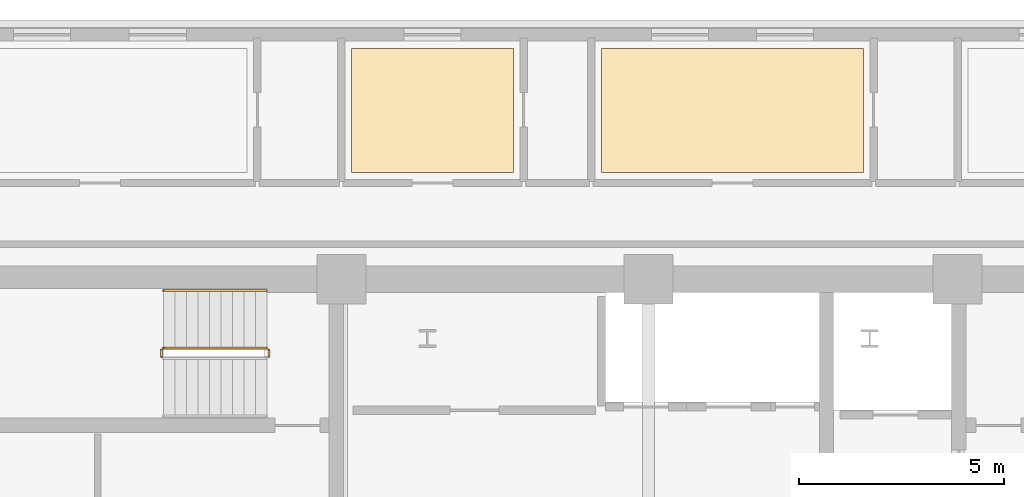
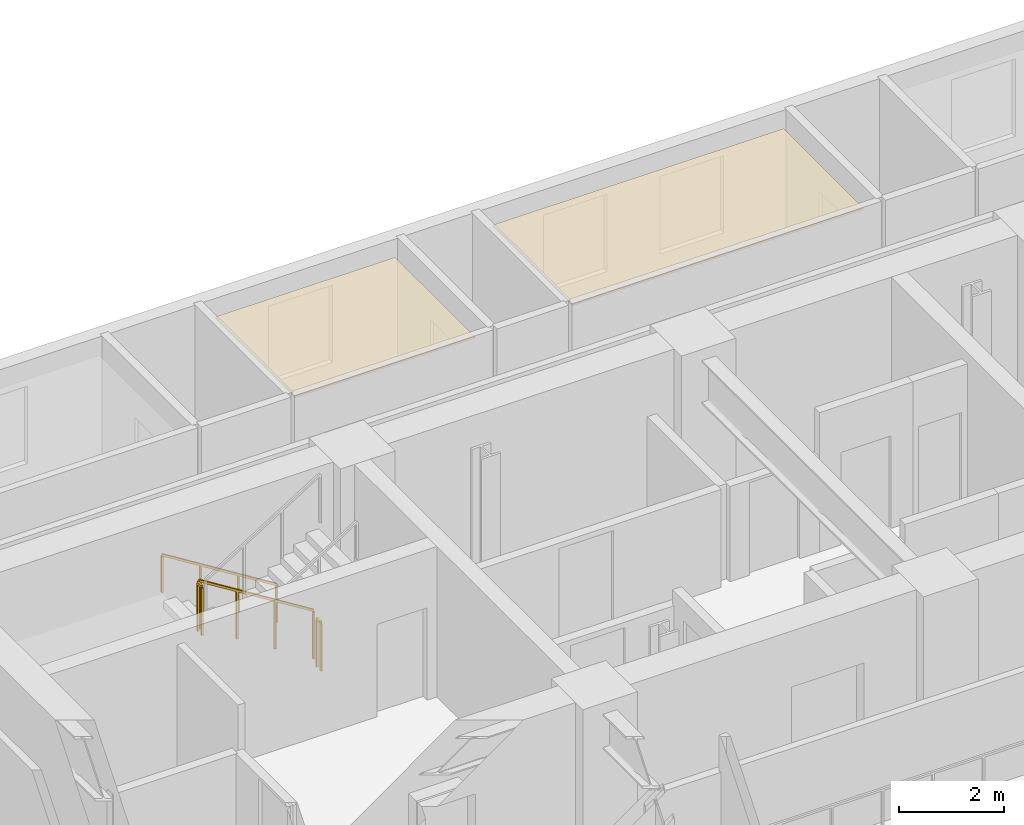
# One storey, part 15 of 16: 4 railings, 2 coverings.
"""IFC4 building model written with IfcOpenShell, lengths in metres."""

from ifc_helpers import new_model, si_unit, direction, frame, origin, origin_2d, place, context, subcontext, project, spatial, polyline, rectangle, outline, extrude, material, layer, layer_set, type_object, element, save


model = new_model("IFC4")

# Units and contexts
model_context = context("Model", 3, precision=1e-05, world=origin(), true_north=direction((0.0, 1.0)))
body_context = subcontext(model_context, "Body", "Model", "MODEL_VIEW")
ifc_project = project(units=[si_unit("LENGTHUNIT", "METRE"), si_unit("AREAUNIT", "SQUARE_METRE"), si_unit("VOLUMEUNIT", "CUBIC_METRE"), si_unit("PLANEANGLEUNIT", "RADIAN"), si_unit("MASSUNIT", "GRAM", prefix="KILO")], contexts=[model_context])

# Site, building, storey
site_placement = place(None, origin())
site = spatial("IfcSite", under=ifc_project, at=site_placement, CompositionType="ELEMENT")
building_placement = place(site_placement, origin())
building = spatial("IfcBuilding", under=site, at=building_placement, Name="Zarnavel Station Tower", CompositionType="ELEMENT")
storey_placement = place(building_placement, frame((0.0, 0.0, 118.800048828125)))
storey = spatial("IfcBuildingStorey", under=building, at=storey_placement, Name="L32", CompositionType="ELEMENT", Elevation=118.800048828125)

# Coverings
ifc_material_1 = material(Name="Perforated Gypsum and Mineral-Wool Acoustic Ceiling", Category="concrete")
ifc_layer = layer(ifc_material_1, 0.0400390625)
ifc_layer_set = layer_set([ifc_layer], Name="COV_CEIL_ACOUSTIC")
covering_type = type_object("IfcCoveringType", Name="COV_CEIL_ACOUSTIC", PredefinedType="CEILING", material=ifc_layer_set)
covering_1_placement = place(storey_placement, frame((0.0, 0.0, 2.919921875)))
element("IfcCovering", 1, at=covering_1_placement, inside=storey, type_object=covering_type, Name="L32 HN2R Acoustic Ceiling", PredefinedType="CEILING", context=body_context, shape_type="SweptSolid", body=[
    extrude(outline(polyline([(21.550048828125, 39.64990234375), (25.50390625, 39.64990234375), (25.50390625, 42.68994140625), (21.550048828125, 42.68994140625), (21.550048828125, 39.64990234375)])), origin(), (0.0, 0.0, 1.0), 0.0400390625),
])
covering_2_placement = place(storey_placement, frame((0.0, 0.0, 2.919921875)))
element("IfcCovering", 2, at=covering_2_placement, inside=storey, type_object=covering_type, Name="L32 HN3R Acoustic Ceiling", PredefinedType="CEILING", context=body_context, shape_type="SweptSolid", body=[
    extrude(outline(polyline([(27.654052734375, 39.64990234375), (34.050048828125, 39.64990234375), (34.050048828125, 42.68994140625), (27.654052734375, 42.68994140625), (27.654052734375, 39.64990234375)])), origin(), (0.0, 0.0, 1.0), 0.0400390625),
])

# Railings
ifc_material_2 = material(Name="Painted Steel S355J2 Balustrade", Category="steel")
railing_type_1 = type_object("IfcRailingType", Name="GR_INT_1150", PredefinedType="GUARDRAIL", material=ifc_material_2)
railing_1_placement = place(storey_placement, frame((19.47998046875, 35.3701171875, 0.175048828125)))
element("IfcRailing", 3, at=railing_1_placement, inside=storey, type_object=railing_type_1, Name="L32 ST1 stair guard 1", PredefinedType="GUARDRAIL", context=body_context, shape_type="SweptSolid", body=[
    extrude(rectangle(XDim=0.048095703125, YDim=0.048095703125, at=origin_2d()), frame((-0.001708984375, 0.0, 1.126953125), z_axis=(-0.848007534815, 0.0, 0.529984170421), x_axis=(0.0, -1.0, 0.0)), (0.0, 0.0, 1.0), 2.9677734375),
    extrude(rectangle(XDim=0.0419921875, YDim=0.0419921875, at=origin_2d()), origin(), (0.0, 0.0, 1.0), 1.101806640625),
    extrude(rectangle(XDim=0.0419921875, YDim=0.0419921875, at=origin_2d()), frame((-0.840087890625, 0.0, 0.52490234375)), (0.0, 0.0, 1.0), 1.101806640625),
    extrude(rectangle(XDim=0.0419921875, YDim=0.0419921875, at=origin_2d()), frame((-1.679931640625, 0.0, 1.050048828125)), (0.0, 0.0, 1.0), 1.101806640625),
    extrude(rectangle(XDim=0.0419921875, YDim=0.0419921875, at=origin_2d()), frame((-2.52001953125, 0.0, 1.574951171875)), (0.0, 0.0, 1.0), 1.101806640625),
])
for number, where, name in (
    (4, (16.909912109375, 35.320068359375, 1.75), "L32 ST1 stair guard 2"),
    (5, (19.530029296875, 35.320068359375, 0.0), "L32 ST1 stair guard 4"),
):
    element("IfcRailing", number, at=place(storey_placement, frame(where)), inside=storey, type_object=railing_type_1, Name=name, PredefinedType="GUARDRAIL", context=body_context, shape_type="SweptSolid", body=[
        extrude(rectangle(XDim=0.048095703125, YDim=0.048095703125, at=origin_2d()), frame((0.0, -0.001953125, 1.1259765625), z_axis=(0.0, -1.0, 0.0), x_axis=(1.0, 0.0, 0.0)), (0.0, 0.0, 1.0), 0.15625),
        extrude(rectangle(XDim=0.0419921875, YDim=0.0419921875, at=origin_2d()), origin(), (0.0, 0.0, 1.0), 1.101806640625),
        extrude(rectangle(XDim=0.0419921875, YDim=0.0419921875, at=origin_2d()), frame((0.0, -0.16015625, 0.0)), (0.0, 0.0, 1.0), 1.101806640625),
    ])
ifc_material_3 = material(Name="Brushed Stainless Steel S355J2 Handrail", Category="steel")
railing_type_2 = type_object("IfcRailingType", Name="HR_STAIR_900", PredefinedType="HANDRAIL", material=ifc_material_3)
railing_2_placement = place(storey_placement, frame((19.47998046875, 36.77001953125, 0.175048828125)))
element("IfcRailing", 6, at=railing_2_placement, inside=storey, type_object=railing_type_2, Name="L32 ST1 stair handrail 1", PredefinedType="HANDRAIL", context=body_context, shape_type="SweptSolid", body=[
    extrude(rectangle(XDim=0.048095703125, YDim=0.048095703125, at=origin_2d()), frame((-0.001708984375, 0.0, 0.876953125), z_axis=(-0.848007534815, 0.0, 0.529984170421), x_axis=(0.0, -1.0, 0.0)), (0.0, 0.0, 1.0), 2.9677734375),
    extrude(rectangle(XDim=0.0419921875, YDim=0.0419921875, at=origin_2d()), origin(), (0.0, 0.0, 1.0), 0.851806640625),
    extrude(rectangle(XDim=0.0419921875, YDim=0.0419921875, at=origin_2d()), frame((-0.840087890625, 0.0, 0.52490234375)), (0.0, 0.0, 1.0), 0.851806640625),
    extrude(rectangle(XDim=0.0419921875, YDim=0.0419921875, at=origin_2d()), frame((-1.679931640625, 0.0, 1.050048828125)), (0.0, 0.0, 1.0), 0.851806640625),
    extrude(rectangle(XDim=0.0419921875, YDim=0.0419921875, at=origin_2d()), frame((-2.52001953125, 0.0, 1.574951171875)), (0.0, 0.0, 1.0), 0.851806640625),
])

save(model, "model.ifc")
